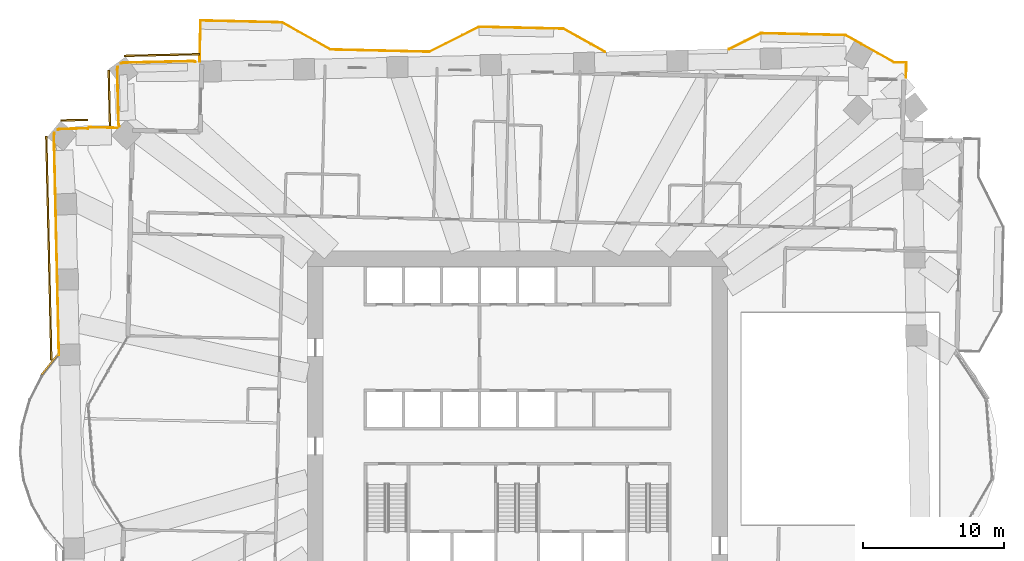
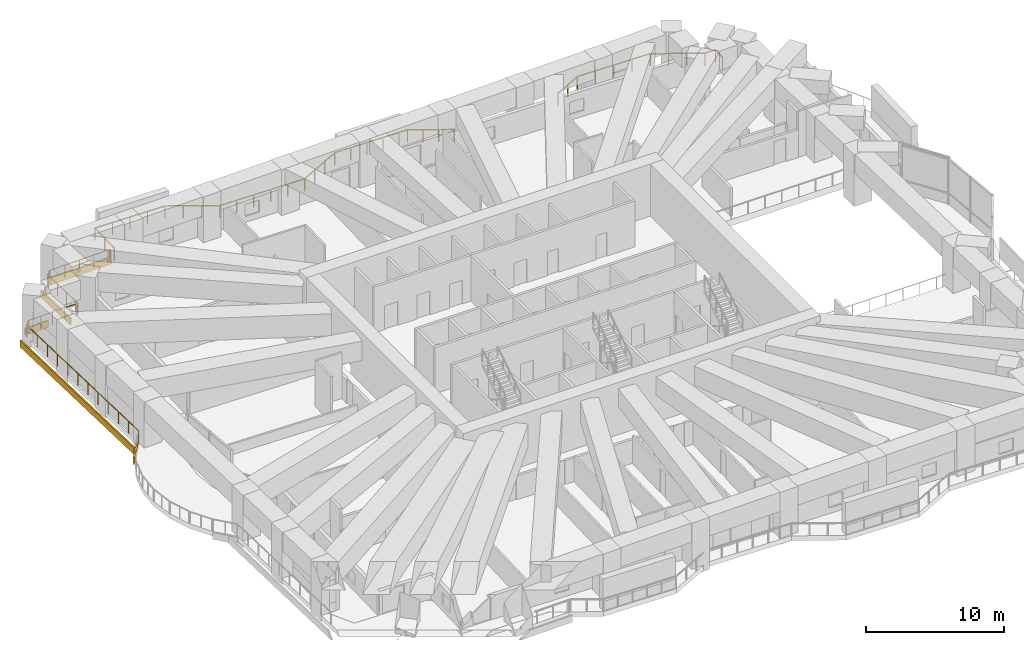
# One storey, part 19 of 20: 7 railings, 5 coverings.
"""IFC4 building model written with IfcOpenShell, lengths in metres."""

from ifc_helpers import new_model, si_unit, direction, frame, frame_2d, origin, origin_2d, place, context, subcontext, project, spatial, rectangle, extrude, material, layer, layer_set, type_object, element, save


model = new_model("IFC4")

# Units and contexts
model_context = context("Model", 3, precision=1e-05, world=origin(), true_north=direction((0.0, 1.0)))
body_context = subcontext(model_context, "Body", "Model", "MODEL_VIEW")
ifc_project = project(units=[si_unit("LENGTHUNIT", "METRE"), si_unit("AREAUNIT", "SQUARE_METRE"), si_unit("VOLUMEUNIT", "CUBIC_METRE"), si_unit("PLANEANGLEUNIT", "RADIAN"), si_unit("MASSUNIT", "GRAM", prefix="KILO")], contexts=[model_context])

# Site, building, storey
site_placement = place(None, origin())
site = spatial("IfcSite", under=ifc_project, at=site_placement, CompositionType="ELEMENT")
building_placement = place(site_placement, origin())
building = spatial("IfcBuilding", under=site, at=building_placement, Name="Mangrove Gate Tower", CompositionType="ELEMENT")
storey_placement = place(building_placement, frame((0.0, 0.0, 52.10009765625)))
storey = spatial("IfcBuildingStorey", under=building, at=storey_placement, Name="L12", CompositionType="ELEMENT", Elevation=52.10009765625)

# Railings
ifc_material_1 = material(Name="Stainless steel grade 316 with laminated glass infill", Category="steel")
railing_type = type_object("IfcRailingType", Name="Balcony guard 1100", PredefinedType="GUARDRAIL", material=ifc_material_1)
railing_1_placement = place(storey_placement, frame((27.56103515625, 24.2080078125, 0.0)))
element("IfcRailing", 1, at=railing_1_placement, inside=storey, type_object=railing_type, Name="GUARD L12 N1", PredefinedType="GUARDRAIL", context=body_context, shape_type="SweptSolid", body=[
    extrude(rectangle(XDim=0.048095703125, YDim=0.048095703125, at=origin_2d()), frame((0.0, 0.0, 1.076171875), z_axis=(0.022585293253, 0.999744919731, 0.0), x_axis=(-0.999744919731, 0.022585293253, 0.0)), (0.0, 0.0, 1.0), 1.059326171875),
    extrude(rectangle(XDim=0.048095703125, YDim=0.048095703125, at=origin_2d()), frame((0.02392578125, 1.05908203125, 1.076171875), z_axis=(-0.999733484349, 0.023085932334, 0.0), x_axis=(-0.023085932334, -0.999733484349, 0.0)), (0.0, 0.0, 1.0), 0.8671875),
    extrude(rectangle(XDim=0.048095703125, YDim=0.048095703125, at=origin_2d()), frame((-0.843017578125, 1.0791015625, 1.076171875), z_axis=(-0.873315448515, 0.487155136876, 0.0), x_axis=(-0.487155136876, -0.873315448515, 0.0)), (0.0, 0.0, 1.0), 3.959716796875),
    extrude(rectangle(XDim=0.048095703125, YDim=0.048095703125, at=origin_2d()), frame((-4.301025390625, 3.008056640625, 1.076171875), z_axis=(-0.999743094499, 0.022665943652, 0.0), x_axis=(-0.022665943652, -0.999743094499, 0.0)), (0.0, 0.0, 1.0), 5.99951171875),
    extrude(rectangle(XDim=0.048095703125, YDim=0.048095703125, at=origin_2d()), frame((-10.299072265625, 3.14404296875, 1.076171875), z_axis=(-0.894407916214, -0.447252142996, 0.0), x_axis=(0.447252142996, -0.894407916214, 0.0)), (0.0, 0.0, 1.0), 2.533447265625),
    extrude(rectangle(XDim=0.0419921875, YDim=0.0419921875, at=origin_2d()), origin(), (0.0, 0.0, 1.0), 1.052001953125),
    extrude(rectangle(XDim=0.0419921875, YDim=0.0419921875, at=origin_2d()), frame((0.02392578125, 1.05908203125, 0.0)), (0.0, 0.0, 1.0), 1.052001953125),
    extrude(rectangle(XDim=0.0419921875, YDim=0.0419921875, at=origin_2d()), frame((-0.843017578125, 1.0791015625, 0.0)), (0.0, 0.0, 1.0), 1.052001953125),
    extrude(rectangle(XDim=0.0419921875, YDim=0.0419921875, at=origin_2d()), frame((-1.99560546875, 1.72216796875, 0.0)), (0.0, 0.0, 1.0), 1.052001953125),
    extrude(rectangle(XDim=0.0419921875, YDim=0.0419921875, at=origin_2d()), frame((-3.1484375, 2.364990234375, 0.0)), (0.0, 0.0, 1.0), 1.052001953125),
    extrude(rectangle(XDim=0.0419921875, YDim=0.0419921875, at=origin_2d()), frame((-4.301025390625, 3.008056640625, 0.0)), (0.0, 0.0, 1.0), 1.052001953125),
    extrude(rectangle(XDim=0.0419921875, YDim=0.0419921875, at=origin_2d()), frame((-5.800537109375, 3.0419921875, 0.0)), (0.0, 0.0, 1.0), 1.052001953125),
    extrude(rectangle(XDim=0.0419921875, YDim=0.0419921875, at=origin_2d()), frame((-7.300048828125, 3.076171875, 0.0)), (0.0, 0.0, 1.0), 1.052001953125),
    extrude(rectangle(XDim=0.0419921875, YDim=0.0419921875, at=origin_2d()), frame((-8.799560546875, 3.110107421875, 0.0)), (0.0, 0.0, 1.0), 1.052001953125),
    extrude(rectangle(XDim=0.0419921875, YDim=0.0419921875, at=origin_2d()), frame((-10.299072265625, 3.14404296875, 0.0)), (0.0, 0.0, 1.0), 1.052001953125),
    extrude(rectangle(XDim=0.0419921875, YDim=0.0419921875, at=origin_2d()), frame((-11.43212890625, 2.57763671875, 0.0)), (0.0, 0.0, 1.0), 1.052001953125),
    extrude(rectangle(XDim=0.0419921875, YDim=0.0419921875, at=origin_2d()), frame((-12.56494140625, 2.010986328125, 0.0)), (0.0, 0.0, 1.0), 1.052001953125),
])
railing_2_placement = place(storey_placement, frame((6.20703125, 26.029052734375, 0.0)))
element("IfcRailing", 2, at=railing_2_placement, inside=storey, type_object=railing_type, Name="GUARD L12 N2", PredefinedType="GUARDRAIL", context=body_context, shape_type="SweptSolid", body=[
    extrude(rectangle(XDim=0.048095703125, YDim=0.048095703125, at=origin_2d()), frame((0.0, 0.0, 1.076171875), z_axis=(-0.873270157085, 0.487236321249, 0.0), x_axis=(-0.487236321249, -0.873270157085, 0.0)), (0.0, 0.0, 1.0), 3.36767578125),
    extrude(rectangle(XDim=0.048095703125, YDim=0.048095703125, at=origin_2d()), frame((-2.94091796875, 1.640869140625, 1.076171875), z_axis=(-0.999735316342, 0.023006461255, 0.0), x_axis=(-0.023006461255, -0.999735316342, 0.0)), (0.0, 0.0, 1.0), 0.700439453125),
    extrude(rectangle(XDim=0.048095703125, YDim=0.048095703125, at=origin_2d()), frame((-3.64111328125, 1.656982421875, 1.076171875), z_axis=(-0.999744208111, 0.022616771387, 0.0), x_axis=(-0.022616771387, -0.999744208111, 0.0)), (0.0, 0.0, 1.0), 5.30029296875),
    extrude(rectangle(XDim=0.048095703125, YDim=0.048095703125, at=origin_2d()), frame((-8.93994140625, 1.77685546875, 1.076171875), z_axis=(-0.894476522376, -0.447114919141, 0.0), x_axis=(0.447114919141, -0.894476522376, 0.0)), (0.0, 0.0, 1.0), 3.958740234375),
    extrude(rectangle(XDim=0.048095703125, YDim=0.048095703125, at=origin_2d()), frame((-12.48095703125, 0.0068359375, 1.076171875), z_axis=(-0.999741403216, 0.022740419861, 0.0), x_axis=(-0.022740419861, -0.999741403216, 0.0)), (0.0, 0.0, 1.0), 6.999755859375),
    extrude(rectangle(XDim=0.048095703125, YDim=0.048095703125, at=origin_2d()), frame((-19.47900390625, 0.166015625, 1.076171875), z_axis=(-0.873361856081, 0.487071933437, 0.0), x_axis=(-0.487071933437, -0.873361856081, 0.0)), (0.0, 0.0, 1.0), 3.958251953125),
    extrude(rectangle(XDim=0.048095703125, YDim=0.048095703125, at=origin_2d()), frame((-22.93603515625, 2.093994140625, 1.076171875), z_axis=(-0.999742665159, 0.022684872937, 0.0), x_axis=(-0.022684872937, -0.999742665159, 0.0)), (0.0, 0.0, 1.0), 5.7685546875),
    extrude(rectangle(XDim=0.048095703125, YDim=0.048095703125, at=origin_2d()), frame((-28.703125, 2.224853515625, 1.076171875), z_axis=(-0.022654696127, -0.999743349437, 0.0), x_axis=(0.999743349437, -0.022654696127, 0.0)), (0.0, 0.0, 1.0), 2.90966796875),
    extrude(rectangle(XDim=0.0419921875, YDim=0.0419921875, at=origin_2d()), origin(), (0.0, 0.0, 1.0), 1.052001953125),
    extrude(rectangle(XDim=0.0419921875, YDim=0.0419921875, at=origin_2d()), frame((-0.980224609375, 0.546875, 0.0)), (0.0, 0.0, 1.0), 1.052001953125),
    extrude(rectangle(XDim=0.0419921875, YDim=0.0419921875, at=origin_2d()), frame((-1.960693359375, 1.093994140625, 0.0)), (0.0, 0.0, 1.0), 1.052001953125),
    extrude(rectangle(XDim=0.0419921875, YDim=0.0419921875, at=origin_2d()), frame((-2.94091796875, 1.640869140625, 0.0)), (0.0, 0.0, 1.0), 1.052001953125),
    extrude(rectangle(XDim=0.0419921875, YDim=0.0419921875, at=origin_2d()), frame((-3.64111328125, 1.656982421875, 0.0)), (0.0, 0.0, 1.0), 1.052001953125),
    extrude(rectangle(XDim=0.0419921875, YDim=0.0419921875, at=origin_2d()), frame((-4.9658203125, 1.68701171875, 0.0)), (0.0, 0.0, 1.0), 1.052001953125),
    extrude(rectangle(XDim=0.0419921875, YDim=0.0419921875, at=origin_2d()), frame((-6.29052734375, 1.716796875, 0.0)), (0.0, 0.0, 1.0), 1.052001953125),
    extrude(rectangle(XDim=0.0419921875, YDim=0.0419921875, at=origin_2d()), frame((-7.615234375, 1.746826171875, 0.0)), (0.0, 0.0, 1.0), 1.052001953125),
    extrude(rectangle(XDim=0.0419921875, YDim=0.0419921875, at=origin_2d()), frame((-8.93994140625, 1.77685546875, 0.0)), (0.0, 0.0, 1.0), 1.052001953125),
    extrude(rectangle(XDim=0.0419921875, YDim=0.0419921875, at=origin_2d()), frame((-10.120361328125, 1.186767578125, 0.0)), (0.0, 0.0, 1.0), 1.052001953125),
    extrude(rectangle(XDim=0.0419921875, YDim=0.0419921875, at=origin_2d()), frame((-11.300537109375, 0.596923828125, 0.0)), (0.0, 0.0, 1.0), 1.052001953125),
    extrude(rectangle(XDim=0.0419921875, YDim=0.0419921875, at=origin_2d()), frame((-12.48095703125, 0.0068359375, 0.0)), (0.0, 0.0, 1.0), 1.052001953125),
    extrude(rectangle(XDim=0.0419921875, YDim=0.0419921875, at=origin_2d()), frame((-13.880615234375, 0.03857421875, 0.0)), (0.0, 0.0, 1.0), 1.052001953125),
    extrude(rectangle(XDim=0.0419921875, YDim=0.0419921875, at=origin_2d()), frame((-15.2802734375, 0.070556640625, 0.0)), (0.0, 0.0, 1.0), 1.052001953125),
    extrude(rectangle(XDim=0.0419921875, YDim=0.0419921875, at=origin_2d()), frame((-16.6796875, 0.102294921875, 0.0)), (0.0, 0.0, 1.0), 1.052001953125),
    extrude(rectangle(XDim=0.0419921875, YDim=0.0419921875, at=origin_2d()), frame((-18.079345703125, 0.13427734375, 0.0)), (0.0, 0.0, 1.0), 1.052001953125),
    extrude(rectangle(XDim=0.0419921875, YDim=0.0419921875, at=origin_2d()), frame((-19.47900390625, 0.166015625, 0.0)), (0.0, 0.0, 1.0), 1.052001953125),
    extrude(rectangle(XDim=0.0419921875, YDim=0.0419921875, at=origin_2d()), frame((-20.63134765625, 0.80859375, 0.0)), (0.0, 0.0, 1.0), 1.052001953125),
    extrude(rectangle(XDim=0.0419921875, YDim=0.0419921875, at=origin_2d()), frame((-21.78369140625, 1.451416015625, 0.0)), (0.0, 0.0, 1.0), 1.052001953125),
    extrude(rectangle(XDim=0.0419921875, YDim=0.0419921875, at=origin_2d()), frame((-22.93603515625, 2.093994140625, 0.0)), (0.0, 0.0, 1.0), 1.052001953125),
    extrude(rectangle(XDim=0.0419921875, YDim=0.0419921875, at=origin_2d()), frame((-24.3779296875, 2.126708984375, 0.0)), (0.0, 0.0, 1.0), 1.052001953125),
    extrude(rectangle(XDim=0.0419921875, YDim=0.0419921875, at=origin_2d()), frame((-25.819580078125, 2.159423828125, 0.0)), (0.0, 0.0, 1.0), 1.052001953125),
    extrude(rectangle(XDim=0.0419921875, YDim=0.0419921875, at=origin_2d()), frame((-27.26123046875, 2.192138671875, 0.0)), (0.0, 0.0, 1.0), 1.052001953125),
    extrude(rectangle(XDim=0.0419921875, YDim=0.0419921875, at=origin_2d()), frame((-28.703125, 2.224853515625, 0.0)), (0.0, 0.0, 1.0), 1.052001953125),
    extrude(rectangle(XDim=0.0419921875, YDim=0.0419921875, at=origin_2d()), frame((-28.736083984375, 0.7705078125, 0.0)), (0.0, 0.0, 1.0), 1.052001953125),
    extrude(rectangle(XDim=0.0419921875, YDim=0.0419921875, at=origin_2d()), frame((-28.76904296875, -0.68408203125, 0.0)), (0.0, 0.0, 1.0), 1.052001953125),
])
railing_3_placement = place(storey_placement, frame((-28.406982421875, 20.635986328125, 0.0)))
element("IfcRailing", 3, at=railing_3_placement, inside=storey, type_object=railing_type, Name="GUARD L12 W1", PredefinedType="GUARDRAIL", context=body_context, shape_type="SweptSolid", body=[
    extrude(rectangle(XDim=0.048095703125, YDim=0.048095703125, at=origin_2d()), frame((0.0, 0.0, 1.076171875), z_axis=(-0.999740142608, 0.022795772809, 0.0), x_axis=(-0.022795772809, -0.999740142608, 0.0)), (0.0, 0.0, 1.0), 2.013427734375),
    extrude(rectangle(XDim=0.048095703125, YDim=0.048095703125, at=origin_2d()), frame((-2.012939453125, 0.0458984375, 1.076171875), z_axis=(0.0, -1.0, 0.0), x_axis=(1.0, 0.0, 0.0)), (0.0, 0.0, 1.0), 0.0029296875),
    extrude(rectangle(XDim=0.0419921875, YDim=0.0419921875, at=origin_2d()), origin(), (0.0, 0.0, 1.0), 1.052001953125),
    extrude(rectangle(XDim=0.0419921875, YDim=0.0419921875, at=origin_2d()), frame((-1.00634765625, 0.02294921875, 0.0)), (0.0, 0.0, 1.0), 1.052001953125),
    extrude(rectangle(XDim=0.0419921875, YDim=0.0419921875, at=origin_2d()), frame((-2.012939453125, 0.0458984375, 0.0)), (0.0, 0.0, 1.0), 1.052001953125),
    extrude(rectangle(XDim=0.0419921875, YDim=0.0419921875, at=origin_2d()), frame((-2.012939453125, 0.04296875, 0.0)), (0.0, 0.0, 1.0), 1.052001953125),
])
railing_4_placement = place(storey_placement, frame((-32.548095703125, 4.537109375, 0.0)))
element("IfcRailing", 4, at=railing_4_placement, inside=storey, type_object=railing_type, Name="GUARD L12 T2.1", PredefinedType="GUARDRAIL", context=body_context, shape_type="SweptSolid", body=[
    extrude(rectangle(XDim=0.048095703125, YDim=0.048095703125, at=origin_2d()), frame((0.0, 0.0, 1.076171875), z_axis=(-0.022679932966, 0.999742777239, 0.0), x_axis=(-0.999742777239, -0.022679932966, 0.0)), (0.0, 0.0, 1.0), 15.51171875),
    extrude(rectangle(XDim=0.048095703125, YDim=0.048095703125, at=origin_2d()), frame((-0.351806640625, 15.5078125, 1.076171875), z_axis=(0.019508481785, 0.999809691461, 0.0), x_axis=(-0.999809691461, 0.019508481785, 0.0)), (0.0, 0.0, 1.0), 0.050048828125),
    extrude(rectangle(XDim=0.048095703125, YDim=0.048095703125, at=origin_2d()), frame((-0.350830078125, 15.557861328125, 1.076171875), z_axis=(0.120933275731, 0.992660638295, 0.0), x_axis=(-0.992660638295, 0.120933275731, 0.0)), (0.0, 0.0, 1.0), 0.04833984375),
    extrude(rectangle(XDim=0.048095703125, YDim=0.048095703125, at=origin_2d()), frame((-0.344970703125, 15.60595703125, 1.076171875), z_axis=(0.223769850009, 0.974642013371, 0.0), x_axis=(-0.974642013371, 0.223769850009, 0.0)), (0.0, 0.0, 1.0), 0.049072265625),
    extrude(rectangle(XDim=0.048095703125, YDim=0.048095703125, at=origin_2d()), frame((-0.333984375, 15.65380859375, 1.076171875), z_axis=(0.30584949336, 0.952079874491, 0.0), x_axis=(-0.952079874491, 0.30584949336, 0.0)), (0.0, 0.0, 1.0), 0.049560546875),
    extrude(rectangle(XDim=0.048095703125, YDim=0.048095703125, at=origin_2d()), frame((-0.31884765625, 15.700927734375, 1.076171875), z_axis=(0.43301833784, 0.901385111422, 0.0), x_axis=(-0.901385111422, 0.43301833784, 0.0)), (0.0, 0.0, 1.0), 0.027587890625),
    extrude(rectangle(XDim=0.0419921875, YDim=0.0419921875, at=origin_2d()), origin(), (0.0, 0.0, 1.0), 1.052001953125),
    extrude(rectangle(XDim=0.0419921875, YDim=0.0419921875, at=origin_2d()), frame((-0.031982421875, 1.409912109375, 0.0)), (0.0, 0.0, 1.0), 1.052001953125),
    extrude(rectangle(XDim=0.0419921875, YDim=0.0419921875, at=origin_2d()), frame((-0.06396484375, 2.819580078125, 0.0)), (0.0, 0.0, 1.0), 1.052001953125),
    extrude(rectangle(XDim=0.0419921875, YDim=0.0419921875, at=origin_2d()), frame((-0.095947265625, 4.2294921875, 0.0)), (0.0, 0.0, 1.0), 1.052001953125),
    extrude(rectangle(XDim=0.0419921875, YDim=0.0419921875, at=origin_2d()), frame((-0.1279296875, 5.63916015625, 0.0)), (0.0, 0.0, 1.0), 1.052001953125),
    extrude(rectangle(XDim=0.0419921875, YDim=0.0419921875, at=origin_2d()), frame((-0.159912109375, 7.049072265625, 0.0)), (0.0, 0.0, 1.0), 1.052001953125),
    extrude(rectangle(XDim=0.0419921875, YDim=0.0419921875, at=origin_2d()), frame((-0.19189453125, 8.458740234375, 0.0)), (0.0, 0.0, 1.0), 1.052001953125),
    extrude(rectangle(XDim=0.0419921875, YDim=0.0419921875, at=origin_2d()), frame((-0.223876953125, 9.86865234375, 0.0)), (0.0, 0.0, 1.0), 1.052001953125),
    extrude(rectangle(XDim=0.0419921875, YDim=0.0419921875, at=origin_2d()), frame((-0.255859375, 11.2783203125, 0.0)), (0.0, 0.0, 1.0), 1.052001953125),
    extrude(rectangle(XDim=0.0419921875, YDim=0.0419921875, at=origin_2d()), frame((-0.287841796875, 12.688232421875, 0.0)), (0.0, 0.0, 1.0), 1.052001953125),
    extrude(rectangle(XDim=0.0419921875, YDim=0.0419921875, at=origin_2d()), frame((-0.31982421875, 14.097900390625, 0.0)), (0.0, 0.0, 1.0), 1.052001953125),
    extrude(rectangle(XDim=0.0419921875, YDim=0.0419921875, at=origin_2d()), frame((-0.351806640625, 15.5078125, 0.0)), (0.0, 0.0, 1.0), 1.052001953125),
    extrude(rectangle(XDim=0.0419921875, YDim=0.0419921875, at=origin_2d()), frame((-0.350830078125, 15.557861328125, 0.0)), (0.0, 0.0, 1.0), 1.052001953125),
    extrude(rectangle(XDim=0.0419921875, YDim=0.0419921875, at=origin_2d()), frame((-0.344970703125, 15.60595703125, 0.0)), (0.0, 0.0, 1.0), 1.052001953125),
    extrude(rectangle(XDim=0.0419921875, YDim=0.0419921875, at=origin_2d()), frame((-0.333984375, 15.65380859375, 0.0)), (0.0, 0.0, 1.0), 1.052001953125),
    extrude(rectangle(XDim=0.0419921875, YDim=0.0419921875, at=origin_2d()), frame((-0.31884765625, 15.700927734375, 0.0)), (0.0, 0.0, 1.0), 1.052001953125),
    extrude(rectangle(XDim=0.0419921875, YDim=0.0419921875, at=origin_2d()), frame((-0.306884765625, 15.725830078125, 0.0)), (0.0, 0.0, 1.0), 1.052001953125),
])
railing_5_placement = place(storey_placement, frame((-32.626953125, 20.501953125, 0.0)))
element("IfcRailing", 5, at=railing_5_placement, inside=storey, type_object=railing_type, Name="GUARD L12 T2.2", PredefinedType="GUARDRAIL", context=body_context, shape_type="SweptSolid", body=[
    extrude(rectangle(XDim=0.048095703125, YDim=0.048095703125, at=origin_2d()), frame((0.0, 0.0, 1.076171875), z_axis=(0.901385111422, 0.43301833784, 0.0), x_axis=(-0.43301833784, 0.901385111422, 0.0)), (0.0, 0.0, 1.0), 0.027587890625),
    extrude(rectangle(XDim=0.048095703125, YDim=0.048095703125, at=origin_2d()), frame((0.02490234375, 0.011962890625, 1.076171875), z_axis=(0.931170070305, 0.364585106892, 0.0), x_axis=(-0.364585106892, 0.931170070305, 0.0)), (0.0, 0.0, 1.0), 0.049560546875),
    extrude(rectangle(XDim=0.048095703125, YDim=0.048095703125, at=origin_2d()), frame((0.071044921875, 0.030029296875, 1.076171875), z_axis=(0.963948224108, 0.266089874363, 0.0), x_axis=(-0.266089874363, 0.963948224108, 0.0)), (0.0, 0.0, 1.0), 0.048583984375),
    extrude(rectangle(XDim=0.048095703125, YDim=0.048095703125, at=origin_2d()), frame((0.117919921875, 0.04296875, 1.076171875), z_axis=(0.986258281976, 0.165210778199, 0.0), x_axis=(-0.165210778199, 0.986258281976, 0.0)), (0.0, 0.0, 1.0), 0.048828125),
    extrude(rectangle(XDim=0.048095703125, YDim=0.048095703125, at=origin_2d()), frame((0.166015625, 0.051025390625, 1.076171875), z_axis=(0.996815278536, 0.079745222283, 0.0), x_axis=(-0.079745222283, 0.996815278536, 0.0)), (0.0, 0.0, 1.0), 0.049072265625),
    extrude(rectangle(XDim=0.048095703125, YDim=0.048095703125, at=origin_2d()), frame((0.21484375, 0.054931640625, 1.076171875), z_axis=(0.999749481562, 0.02238245108, 0.0), x_axis=(-0.02238245108, 0.999749481562, 0.0)), (0.0, 0.0, 1.0), 1.9306640625),
    extrude(rectangle(XDim=0.048095703125, YDim=0.048095703125, at=origin_2d()), frame((2.14501953125, 0.09814453125, 1.076171875), z_axis=(-0.019508481785, -0.999809691461, 0.0), x_axis=(0.999809691461, -0.019508481785, 0.0)), (0.0, 0.0, 1.0), 0.050048828125),
    extrude(rectangle(XDim=0.0419921875, YDim=0.0419921875, at=origin_2d()), origin(), (0.0, 0.0, 1.0), 1.052001953125),
    extrude(rectangle(XDim=0.0419921875, YDim=0.0419921875, at=origin_2d()), frame((0.02490234375, 0.011962890625, 0.0)), (0.0, 0.0, 1.0), 1.052001953125),
    extrude(rectangle(XDim=0.0419921875, YDim=0.0419921875, at=origin_2d()), frame((0.071044921875, 0.030029296875, 0.0)), (0.0, 0.0, 1.0), 1.052001953125),
    extrude(rectangle(XDim=0.0419921875, YDim=0.0419921875, at=origin_2d()), frame((0.117919921875, 0.04296875, 0.0)), (0.0, 0.0, 1.0), 1.052001953125),
    extrude(rectangle(XDim=0.0419921875, YDim=0.0419921875, at=origin_2d()), frame((0.166015625, 0.051025390625, 0.0)), (0.0, 0.0, 1.0), 1.052001953125),
    extrude(rectangle(XDim=0.0419921875, YDim=0.0419921875, at=origin_2d()), frame((0.21484375, 0.054931640625, 0.0)), (0.0, 0.0, 1.0), 1.052001953125),
    extrude(rectangle(XDim=0.0419921875, YDim=0.0419921875, at=origin_2d()), frame((1.179931640625, 0.07666015625, 0.0)), (0.0, 0.0, 1.0), 1.052001953125),
    extrude(rectangle(XDim=0.0419921875, YDim=0.0419921875, at=origin_2d()), frame((2.14501953125, 0.09814453125, 0.0)), (0.0, 0.0, 1.0), 1.052001953125),
    extrude(rectangle(XDim=0.0419921875, YDim=0.0419921875, at=origin_2d()), frame((2.14404296875, 0.048095703125, 0.0)), (0.0, 0.0, 1.0), 1.052001953125),
])
railing_6_placement = place(storey_placement, frame((-28.264892578125, 20.74609375, 0.0)))
element("IfcRailing", 6, at=railing_6_placement, inside=storey, type_object=railing_type, Name="GUARD L12 T3.1", PredefinedType="GUARDRAIL", context=body_context, shape_type="SweptSolid", body=[
    extrude(rectangle(XDim=0.048095703125, YDim=0.048095703125, at=origin_2d()), frame((0.0, 0.0, 1.076171875), z_axis=(-0.454470341688, 0.890761869708, 0.0), x_axis=(-0.890761869708, -0.454470341688, 0.0)), (0.0, 0.0, 1.0), 0.02685546875),
    extrude(rectangle(XDim=0.048095703125, YDim=0.048095703125, at=origin_2d()), frame((-0.01220703125, 0.02392578125, 1.076171875), z_axis=(-0.361967648779, 0.932190657129, 0.0), x_axis=(-0.932190657129, -0.361967648779, 0.0)), (0.0, 0.0, 1.0), 0.04931640625),
    extrude(rectangle(XDim=0.048095703125, YDim=0.048095703125, at=origin_2d()), frame((-0.030029296875, 0.06982421875, 1.076171875), z_axis=(-0.26435990501, 0.964424097907, 0.0), x_axis=(-0.964424097907, -0.26435990501, 0.0)), (0.0, 0.0, 1.0), 0.0498046875),
    extrude(rectangle(XDim=0.048095703125, YDim=0.048095703125, at=origin_2d()), frame((-0.043212890625, 0.117919921875, 1.076171875), z_axis=(-0.160335049489, 0.98706264842, 0.0), x_axis=(-0.98706264842, -0.160335049489, 0.0)), (0.0, 0.0, 1.0), 0.048828125),
    extrude(rectangle(XDim=0.048095703125, YDim=0.048095703125, at=origin_2d()), frame((-0.051025390625, 0.166015625, 1.076171875), z_axis=(-0.08469459144, 0.996406958115, 0.0), x_axis=(-0.996406958115, -0.08469459144, 0.0)), (0.0, 0.0, 1.0), 0.049072265625),
    extrude(rectangle(XDim=0.048095703125, YDim=0.048095703125, at=origin_2d()), frame((-0.05517578125, 0.21484375, 1.076171875), z_axis=(-0.02268042367, 0.999742766106, 0.0), x_axis=(-0.999742766106, -0.02268042367, 0.0)), (0.0, 0.0, 1.0), 3.7890625),
    extrude(rectangle(XDim=0.048095703125, YDim=0.048095703125, at=origin_2d()), frame((-0.14111328125, 4.0029296875, 1.076171875), z_axis=(0.019896558087, 0.999802043895, 0.0), x_axis=(-0.999802043895, 0.019896558087, 0.0)), (0.0, 0.0, 1.0), 0.049072265625),
    extrude(rectangle(XDim=0.048095703125, YDim=0.048095703125, at=origin_2d()), frame((-0.14013671875, 4.052001953125, 1.076171875), z_axis=(0.146365743746, 0.989230543937, 0.0), x_axis=(-0.989230543937, 0.146365743746, 0.0)), (0.0, 0.0, 1.0), 0.04833984375),
    extrude(rectangle(XDim=0.048095703125, YDim=0.048095703125, at=origin_2d()), frame((-0.133056640625, 4.099853515625, 1.076171875), z_axis=(0.203755794539, 0.979021744494, 0.0), x_axis=(-0.979021744494, 0.203755794539, 0.0)), (0.0, 0.0, 1.0), 0.049072265625),
    extrude(rectangle(XDim=0.048095703125, YDim=0.048095703125, at=origin_2d()), frame((-0.123046875, 4.14794921875, 1.076171875), z_axis=(0.320664269532, 0.947192919233, 0.0), x_axis=(-0.947192919233, 0.320664269532, 0.0)), (0.0, 0.0, 1.0), 0.049560546875),
    extrude(rectangle(XDim=0.048095703125, YDim=0.048095703125, at=origin_2d()), frame((-0.107177734375, 4.19482421875, 1.076171875), z_axis=(0.400352069216, 0.916361402872, 0.0), x_axis=(-0.916361402872, 0.400352069216, 0.0)), (0.0, 0.0, 1.0), 0.02734375),
    extrude(rectangle(XDim=0.0419921875, YDim=0.0419921875, at=origin_2d()), origin(), (0.0, 0.0, 1.0), 1.052001953125),
    extrude(rectangle(XDim=0.0419921875, YDim=0.0419921875, at=origin_2d()), frame((-0.01220703125, 0.02392578125, 0.0)), (0.0, 0.0, 1.0), 1.052001953125),
    extrude(rectangle(XDim=0.0419921875, YDim=0.0419921875, at=origin_2d()), frame((-0.030029296875, 0.06982421875, 0.0)), (0.0, 0.0, 1.0), 1.052001953125),
    extrude(rectangle(XDim=0.0419921875, YDim=0.0419921875, at=origin_2d()), frame((-0.043212890625, 0.117919921875, 0.0)), (0.0, 0.0, 1.0), 1.052001953125),
    extrude(rectangle(XDim=0.0419921875, YDim=0.0419921875, at=origin_2d()), frame((-0.051025390625, 0.166015625, 0.0)), (0.0, 0.0, 1.0), 1.052001953125),
    extrude(rectangle(XDim=0.0419921875, YDim=0.0419921875, at=origin_2d()), frame((-0.05517578125, 0.21484375, 0.0)), (0.0, 0.0, 1.0), 1.052001953125),
    extrude(rectangle(XDim=0.0419921875, YDim=0.0419921875, at=origin_2d()), frame((-0.083740234375, 1.4775390625, 0.0)), (0.0, 0.0, 1.0), 1.052001953125),
    extrude(rectangle(XDim=0.0419921875, YDim=0.0419921875, at=origin_2d()), frame((-0.112548828125, 2.740234375, 0.0)), (0.0, 0.0, 1.0), 1.052001953125),
    extrude(rectangle(XDim=0.0419921875, YDim=0.0419921875, at=origin_2d()), frame((-0.14111328125, 4.0029296875, 0.0)), (0.0, 0.0, 1.0), 1.052001953125),
    extrude(rectangle(XDim=0.0419921875, YDim=0.0419921875, at=origin_2d()), frame((-0.14013671875, 4.052001953125, 0.0)), (0.0, 0.0, 1.0), 1.052001953125),
    extrude(rectangle(XDim=0.0419921875, YDim=0.0419921875, at=origin_2d()), frame((-0.133056640625, 4.099853515625, 0.0)), (0.0, 0.0, 1.0), 1.052001953125),
    extrude(rectangle(XDim=0.0419921875, YDim=0.0419921875, at=origin_2d()), frame((-0.123046875, 4.14794921875, 0.0)), (0.0, 0.0, 1.0), 1.052001953125),
    extrude(rectangle(XDim=0.0419921875, YDim=0.0419921875, at=origin_2d()), frame((-0.107177734375, 4.19482421875, 0.0)), (0.0, 0.0, 1.0), 1.052001953125),
    extrude(rectangle(XDim=0.0419921875, YDim=0.0419921875, at=origin_2d()), frame((-0.09619140625, 4.219970703125, 0.0)), (0.0, 0.0, 1.0), 1.052001953125),
])
railing_7_placement = place(storey_placement, frame((-28.133056640625, 25.205078125, 0.0)))
element("IfcRailing", 7, at=railing_7_placement, inside=storey, type_object=railing_type, Name="GUARD L12 T3.2", PredefinedType="GUARDRAIL", context=body_context, shape_type="SweptSolid", body=[
    extrude(rectangle(XDim=0.048095703125, YDim=0.048095703125, at=origin_2d()), frame((0.0, 0.0, 1.076171875), z_axis=(0.903022510302, 0.429593233056, 0.0), x_axis=(-0.429593233056, 0.903022510302, 0.0)), (0.0, 0.0, 1.0), 0.02783203125),
    extrude(rectangle(XDim=0.048095703125, YDim=0.048095703125, at=origin_2d()), frame((0.025146484375, 0.011962890625, 1.076171875), z_axis=(0.930510652004, 0.366264831108, 0.0), x_axis=(-0.366264831108, 0.930510652004, 0.0)), (0.0, 0.0, 1.0), 0.04931640625),
    extrude(rectangle(XDim=0.048095703125, YDim=0.048095703125, at=origin_2d()), frame((0.071044921875, 0.030029296875, 1.076171875), z_axis=(0.964301134924, 0.264808083684, 0.0), x_axis=(-0.264808083684, 0.964301134924, 0.0)), (0.0, 0.0, 1.0), 0.048828125),
    extrude(rectangle(XDim=0.048095703125, YDim=0.048095703125, at=origin_2d()), frame((0.1181640625, 0.04296875, 1.076171875), z_axis=(0.986659290868, 0.162798782993, 0.0), x_axis=(-0.162798782993, 0.986659290868, 0.0)), (0.0, 0.0, 1.0), 0.049560546875),
    extrude(rectangle(XDim=0.048095703125, YDim=0.048095703125, at=origin_2d()), frame((0.1669921875, 0.051025390625, 1.076171875), z_axis=(0.996846739125, 0.079350984209, 0.0), x_axis=(-0.079350984209, 0.996846739125, 0.0)), (0.0, 0.0, 1.0), 0.04931640625),
    extrude(rectangle(XDim=0.048095703125, YDim=0.048095703125, at=origin_2d()), frame((0.216064453125, 0.054931640625, 1.076171875), z_axis=(0.999740582555, 0.022776470132, 0.0), x_axis=(-0.022776470132, 0.999740582555, 0.0)), (0.0, 0.0, 1.0), 4.834228515625),
    extrude(rectangle(XDim=0.048095703125, YDim=0.048095703125, at=origin_2d()), frame((5.049072265625, 0.1650390625, 1.076171875), z_axis=(0.999037678801, -0.043860190777, 0.0), x_axis=(0.043860190777, 0.999037678801, 0.0)), (0.0, 0.0, 1.0), 0.050048828125),
    extrude(rectangle(XDim=0.048095703125, YDim=0.048095703125, at=origin_2d()), frame((5.09912109375, 0.162841796875, 1.076171875), z_axis=(0.993216587975, -0.116279015178, 0.0), x_axis=(0.116279015178, 0.993216587975, 0.0)), (0.0, 0.0, 1.0), 0.05029296875),
    extrude(rectangle(XDim=0.048095703125, YDim=0.048095703125, at=origin_2d()), frame((5.149169921875, 0.156982421875, 1.076171875), z_axis=(0.972344019985, -0.233553220487, 0.0), x_axis=(0.233553220487, 0.972344019985, 0.0)), (0.0, 0.0, 1.0), 0.05126953125),
    extrude(rectangle(XDim=0.048095703125, YDim=0.048095703125, at=origin_2d()), frame((5.198974609375, 0.14501953125, 1.076171875), z_axis=(0.94620349056, -0.323572178119, 0.0), x_axis=(0.323572178119, 0.94620349056, 0.0)), (0.0, 0.0, 1.0), 0.0498046875),
    extrude(rectangle(XDim=0.048095703125, YDim=0.048095703125, at=origin_2d()), frame((5.24609375, 0.12890625, 1.076171875), z_axis=(0.902666413566, -0.430340964607, 0.0), x_axis=(0.430340964607, 0.902666413566, 0.0)), (0.0, 0.0, 1.0), 0.023193359375),
    extrude(rectangle(XDim=0.0419921875, YDim=0.0419921875, at=origin_2d()), origin(), (0.0, 0.0, 1.0), 1.052001953125),
    extrude(rectangle(XDim=0.0419921875, YDim=0.0419921875, at=origin_2d()), frame((0.025146484375, 0.011962890625, 0.0)), (0.0, 0.0, 1.0), 1.052001953125),
    extrude(rectangle(XDim=0.0419921875, YDim=0.0419921875, at=origin_2d()), frame((0.071044921875, 0.030029296875, 0.0)), (0.0, 0.0, 1.0), 1.052001953125),
    extrude(rectangle(XDim=0.0419921875, YDim=0.0419921875, at=origin_2d()), frame((0.1181640625, 0.04296875, 0.0)), (0.0, 0.0, 1.0), 1.052001953125),
    extrude(rectangle(XDim=0.0419921875, YDim=0.0419921875, at=origin_2d()), frame((0.1669921875, 0.051025390625, 0.0)), (0.0, 0.0, 1.0), 1.052001953125),
    extrude(rectangle(XDim=0.0419921875, YDim=0.0419921875, at=origin_2d()), frame((0.216064453125, 0.054931640625, 0.0)), (0.0, 0.0, 1.0), 1.052001953125),
    extrude(rectangle(XDim=0.0419921875, YDim=0.0419921875, at=origin_2d()), frame((1.42431640625, 0.08251953125, 0.0)), (0.0, 0.0, 1.0), 1.052001953125),
    extrude(rectangle(XDim=0.0419921875, YDim=0.0419921875, at=origin_2d()), frame((2.632568359375, 0.10986328125, 0.0)), (0.0, 0.0, 1.0), 1.052001953125),
    extrude(rectangle(XDim=0.0419921875, YDim=0.0419921875, at=origin_2d()), frame((3.8408203125, 0.137451171875, 0.0)), (0.0, 0.0, 1.0), 1.052001953125),
    extrude(rectangle(XDim=0.0419921875, YDim=0.0419921875, at=origin_2d()), frame((5.049072265625, 0.1650390625, 0.0)), (0.0, 0.0, 1.0), 1.052001953125),
    extrude(rectangle(XDim=0.0419921875, YDim=0.0419921875, at=origin_2d()), frame((5.09912109375, 0.162841796875, 0.0)), (0.0, 0.0, 1.0), 1.052001953125),
    extrude(rectangle(XDim=0.0419921875, YDim=0.0419921875, at=origin_2d()), frame((5.149169921875, 0.156982421875, 0.0)), (0.0, 0.0, 1.0), 1.052001953125),
    extrude(rectangle(XDim=0.0419921875, YDim=0.0419921875, at=origin_2d()), frame((5.198974609375, 0.14501953125, 0.0)), (0.0, 0.0, 1.0), 1.052001953125),
    extrude(rectangle(XDim=0.0419921875, YDim=0.0419921875, at=origin_2d()), frame((5.24609375, 0.12890625, 0.0)), (0.0, 0.0, 1.0), 1.052001953125),
    extrude(rectangle(XDim=0.0419921875, YDim=0.0419921875, at=origin_2d()), frame((5.26708984375, 0.118896484375, 0.0)), (0.0, 0.0, 1.0), 1.052001953125),
])

# Coverings
ifc_material_2 = material(Name="Limestone", Category="masonry")
ifc_layer_1 = layer(ifc_material_2, 0.0400390625, Name="Limestone cladding")
ifc_material_3 = material(Name="Stainless steel anchors and cavity", Category="steel")
ifc_layer_2 = layer(ifc_material_3, 0.080078125, Name="Fixing cavity")
ifc_layer_set = layer_set([ifc_layer_1, ifc_layer_2], Name="Joint fascia cladding 120")
covering_type = type_object("IfcCoveringType", Name="Joint fascia cladding 120", PredefinedType="CLADDING", material=ifc_layer_set)
covering_1_placement = place(storey_placement, frame((-33.088623046875, 4.159912109375, -0.60009765625), z_axis=(0.0, 0.0, 1.0), x_axis=(-0.02269625619, 0.9997424068, 0.0)))
element("IfcCovering", 8, at=covering_1_placement, inside=storey, type_object=covering_type, Name="STONE FASCIA L12 TB02-1.1", PredefinedType="CLADDING", context=body_context, shape_type="SweptSolid", body=[
    extrude(rectangle(XDim=15.877197265625, YDim=0.1201171875, at=frame_2d((7.9384765625, 0.0))), origin(), (0.0, 0.0, 1.0), 0.60009765625),
])
covering_2_placement = place(storey_placement, frame((-32.426025390625, 21.1640625, -0.60009765625), z_axis=(0.0, 0.0, 1.0), x_axis=(0.999740855245, 0.022764497653, 0.0)))
element("IfcCovering", 9, at=covering_2_placement, inside=storey, type_object=covering_type, Name="STONE FASCIA L12 TB02-2.1", PredefinedType="CLADDING", context=body_context, shape_type="SweptSolid", body=[
    extrude(rectangle(XDim=1.930419921875, YDim=0.1201171875, at=frame_2d((0.96533203125, 0.0))), origin(), (0.0, 0.0, 1.0), 0.60009765625),
])
covering_3_placement = place(storey_placement, frame((-33.782958984375, 3.1279296875, -0.60009765625), z_axis=(0.0, 0.0, 1.0), x_axis=(0.62541579031, 0.780291669333, 0.0)))
element("IfcCovering", 10, at=covering_3_placement, inside=storey, type_object=covering_type, Name="STONE FASCIA L12 TB02-5.3", PredefinedType="CLADDING", context=body_context, shape_type="SweptSolid", body=[
    extrude(rectangle(XDim=1.8994140625, YDim=0.1201171875, at=frame_2d((0.94970703125, 0.0))), origin(), (0.0, 0.0, 1.0), 0.60009765625),
])
covering_4_placement = place(storey_placement, frame((-28.92822265625, 20.650634765625, -0.60009765625), z_axis=(0.0, 0.0, 1.0), x_axis=(-0.022707831124, 0.999742143958, 0.0)))
element("IfcCovering", 11, at=covering_4_placement, inside=storey, type_object=covering_type, Name="STONE FASCIA L12 TB03-1.1", PredefinedType="CLADDING", context=body_context, shape_type="SweptSolid", body=[
    extrude(rectangle(XDim=4.08544921875, YDim=0.1201171875, at=frame_2d((2.042724609375, 0.0))), origin(), (0.0, 0.0, 1.0), 0.60009765625),
])
covering_5_placement = place(storey_placement, frame((-27.927978515625, 25.7470703125, -0.60009765625), z_axis=(0.0, 0.0, 1.0), x_axis=(0.999741202216, 0.022749254772, 0.0)))
element("IfcCovering", 12, at=covering_5_placement, inside=storey, type_object=covering_type, Name="STONE FASCIA L12 TB03-2.1", PredefinedType="CLADDING", context=body_context, shape_type="SweptSolid", body=[
    extrude(rectangle(XDim=5.376708984375, YDim=0.1201171875, at=frame_2d((2.6884765625, 0.0))), origin(), (0.0, 0.0, 1.0), 0.60009765625),
])

save(model, "model.ifc")
